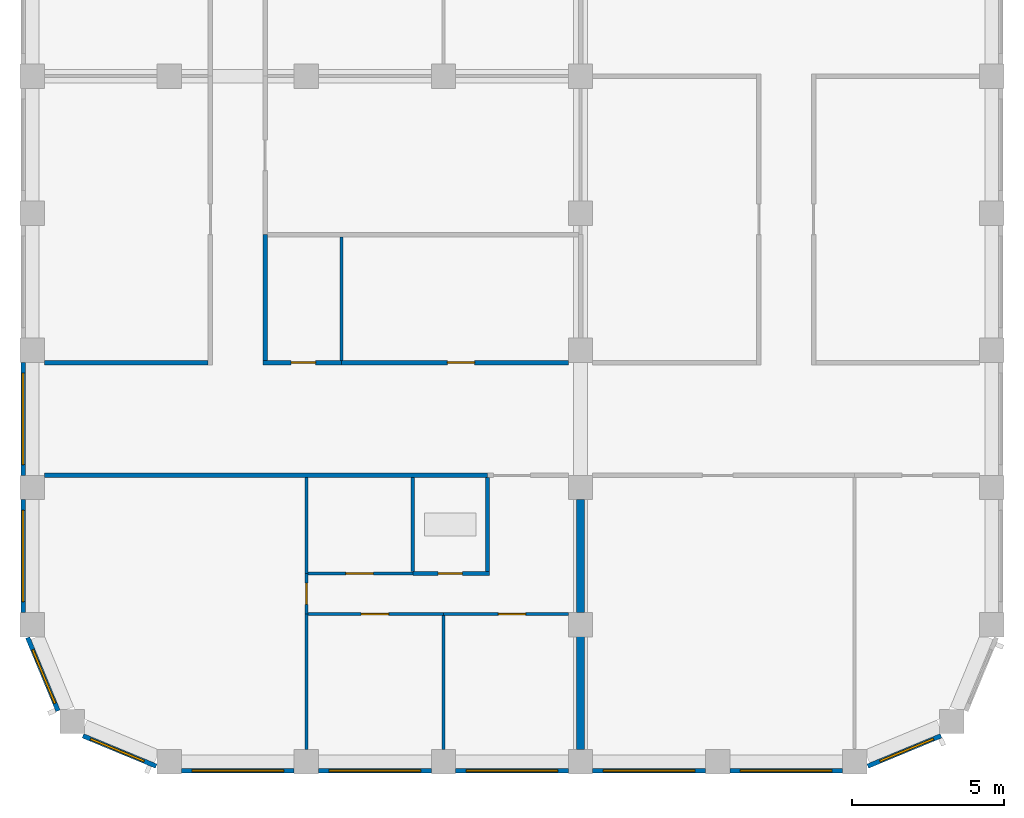
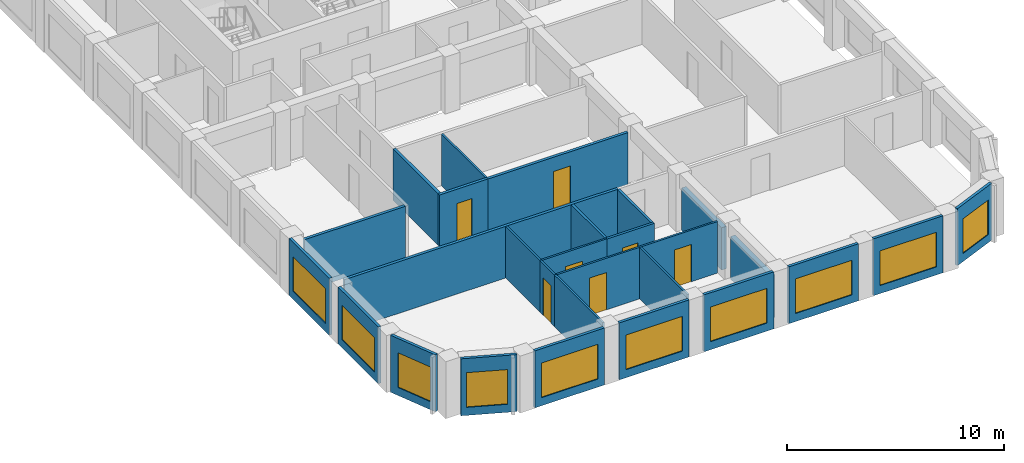
# One storey, part 2 of 10: 28 walls, 10 windows, 7 doors, 17 openings.
"""IFC4 building model written with IfcOpenShell, lengths in metres."""

from ifc_helpers import new_model, si_unit, direction, frame, frame_2d, origin, place, context, subcontext, project, spatial, rectangle, extrude, material, layer, layer_set, type_object, element, fill, save


model = new_model("IFC4")

# Units and contexts
model_context = context("Model", 3, precision=1e-05, world=origin(), true_north=direction((0.0, 1.0)))
body_context = subcontext(model_context, "Body", "Model", "MODEL_VIEW")
ifc_project = project(units=[si_unit("LENGTHUNIT", "METRE"), si_unit("AREAUNIT", "SQUARE_METRE"), si_unit("VOLUMEUNIT", "CUBIC_METRE"), si_unit("PLANEANGLEUNIT", "RADIAN"), si_unit("MASSUNIT", "GRAM", prefix="KILO")], contexts=[model_context])

# Site, building, storey
site_placement = place(None, origin())
site = spatial("IfcSite", under=ifc_project, at=site_placement, CompositionType="ELEMENT")
building_placement = place(site_placement, origin())
building = spatial("IfcBuilding", under=site, at=building_placement, Name="Girih Gate Residences", CompositionType="ELEMENT")
storey_placement = place(building_placement, frame((0.0, 0.0, 210.094970703125)))
storey = spatial("IfcBuildingStorey", under=building, at=storey_placement, Name="L58", CompositionType="ELEMENT", Elevation=210.094970703125)

# Walls
ifc_material_1 = material(Name="Gypsum board on steel studs", Category="steel")
ifc_layer_1 = layer(ifc_material_1, 0.25)
ifc_layer_set_1 = layer_set([ifc_layer_1], Name="Acoustic separating wall 250 mm")
wall_type_1 = type_object("IfcWallType", Name="Acoustic separating wall 250 mm", PredefinedType="PARTITIONING", material=ifc_layer_set_1)
for number, where, z_axis, x_axis, name in (
    (1, (18.0, 0.39990234375, 0.0), (0.0, 0.0, 1.0), (0.0, 1.0, 0.0), "L58 partition"),
    (2, (18.0, 4.89990234375, 0.0), (0.0, 0.0, 1.0), (0.0, 1.0, 0.0), "L58 partition"),
):
    element("IfcWall", number, at=place(storey_placement, frame(where, z_axis=z_axis, x_axis=x_axis)), inside=storey, type_object=wall_type_1, Name=name, PredefinedType="PARTITIONING", context=body_context, shape_type="SweptSolid", body=[
        extrude(rectangle(XDim=3.7001953125, YDim=0.25, at=frame_2d((1.85009765625, 0.0))), origin(), (0.0, 0.0, 1.0), 2.380126953125),
    ])
ifc_layer_2 = layer(ifc_material_1, 0.14990234375)
ifc_layer_set_2 = layer_set([ifc_layer_2], Name="Compartment wall 150 mm")
wall_type_2 = type_object("IfcWallType", Name="Compartment wall 150 mm", PredefinedType="PARTITIONING", material=ifc_layer_set_2)
wall_1_placement = place(storey_placement, frame((0.39990234375, 9.39990234375, 0.0), z_axis=(0.0, 0.0, 1.0), x_axis=(1.0, 0.0, 0.0)))
element("IfcWall", 3, at=wall_1_placement, inside=storey, type_object=wall_type_2, Name="L58 partition", PredefinedType="PARTITIONING", context=body_context, shape_type="SweptSolid", body=[
    extrude(rectangle(XDim=14.550048828125, YDim=0.14990234375, at=frame_2d((7.27490234375, 0.0))), origin(), (0.0, 0.0, 1.0), 2.900146484375),
])

# Wall, opening, door
wall_2_placement = place(storey_placement, frame((10.14990234375, 13.10009765625, 0.0), z_axis=(0.0, 0.0, 1.0), x_axis=(1.0, 0.0, 0.0)))
wall_2 = element("IfcWall", 4, at=wall_2_placement, inside=storey, type_object=wall_type_2, Name="L58 partition", PredefinedType="PARTITIONING", context=body_context, shape_type="SweptSolid", body=[
    extrude(rectangle(XDim=7.4501953125, YDim=0.14990234375, at=frame_2d((3.72509765625, 0.0))), origin(), (0.0, 0.0, 1.0), 2.900146484375),
])
opening_1_placement = place(wall_2_placement, frame((3.47509765625, 0.0, 0.0)))
opening_1 = element("IfcOpeningElement", 5, at=opening_1_placement, cuts=wall_2, Name="Opening A58-029", PredefinedType="OPENING", context=body_context, shape_type="SweptSolid", body=[
    extrude(rectangle(XDim=0.89990234375, YDim=2.10009765625, at=frame_2d((0.449951171875, 1.050048828125))), frame((0.0, 0.0849609375, 0.0), z_axis=(0.0, -1.0, 0.0), x_axis=(1.0, 0.0, 0.0)), (0.0, 0.0, 1.0), 0.169921875),
])
ifc_material_2 = material(Name="Timber", Category="wood")
door_type_1 = type_object("IfcDoorType", Name="Service room door 900x2100", OperationType="NOTDEFINED", PredefinedType="DOOR", material=ifc_material_2)
door_1_placement = place(opening_1_placement, origin())
door_1 = element("IfcDoor", 6, at=door_1_placement, inside=storey, type_object=door_type_1, Name="Door A58-029", OperationType="SINGLE_SWING_RIGHT", OverallHeight=2.10009765625, OverallWidth=0.89990234375, PredefinedType="DOOR", context=body_context, shape_type="SweptSolid", body=[
    extrude(rectangle(XDim=0.89990234375, YDim=2.10009765625, at=frame_2d((0.449951171875, 1.050048828125))), frame((0.0, 0.02490234375, 0.0), z_axis=(0.0, -1.0, 0.0), x_axis=(1.0, 0.0, 0.0)), (0.0, 0.0, 1.0), 0.050048828125),
])
fill(opening_1, door_1)

wall_3_placement = place(storey_placement, frame((7.574951171875, 13.10009765625, 0.0), z_axis=(0.0, 0.0, 1.0), x_axis=(1.0, 0.0, 0.0)))
wall_3 = element("IfcWall", 7, at=wall_3_placement, inside=storey, type_object=wall_type_2, Name="L58 partition", PredefinedType="PARTITIONING", context=body_context, shape_type="SweptSolid", body=[
    extrude(rectangle(XDim=2.574951171875, YDim=0.14990234375, at=frame_2d((1.28759765625, 0.0))), origin(), (0.0, 0.0, 1.0), 2.900146484375),
])
opening_2_placement = place(wall_3_placement, frame((0.925048828125, 0.0, 0.0)))
opening_2 = element("IfcOpeningElement", 8, at=opening_2_placement, cuts=wall_3, Name="Opening A58-030", PredefinedType="OPENING", context=body_context, shape_type="SweptSolid", body=[
    extrude(rectangle(XDim=0.800048828125, YDim=2.10009765625, at=frame_2d((0.39990234375, 1.050048828125))), frame((0.0, 0.0849609375, 0.0), z_axis=(0.0, -1.0, 0.0), x_axis=(1.0, 0.0, 0.0)), (0.0, 0.0, 1.0), 0.169921875),
])
door_type_2 = type_object("IfcDoorType", Name="Bathroom door 800x2100", OperationType="NOTDEFINED", PredefinedType="DOOR", material=ifc_material_2)
door_2_placement = place(opening_2_placement, origin())
door_2 = element("IfcDoor", 9, at=door_2_placement, inside=storey, type_object=door_type_2, Name="Door A58-030", OperationType="SINGLE_SWING_RIGHT", OverallHeight=2.10009765625, OverallWidth=0.800048828125, PredefinedType="DOOR", context=body_context, shape_type="SweptSolid", body=[
    extrude(rectangle(XDim=0.800048828125, YDim=2.10009765625, at=frame_2d((0.39990234375, 1.050048828125))), frame((0.0, 0.02490234375, 0.0), z_axis=(0.0, -1.0, 0.0), x_axis=(1.0, 0.0, 0.0)), (0.0, 0.0, 1.0), 0.050048828125),
])
fill(opening_2, door_2)

# Walls
wall_4_placement = place(storey_placement, frame((0.39990234375, 13.10009765625, 0.0), z_axis=(0.0, 0.0, 1.0), x_axis=(1.0, 0.0, 0.0)))
element("IfcWall", 10, at=wall_4_placement, inside=storey, type_object=wall_type_2, Name="L58 partition", PredefinedType="PARTITIONING", context=body_context, shape_type="SweptSolid", body=[
    extrude(rectangle(XDim=5.375, YDim=0.14990234375, at=frame_2d((2.6875, 0.0))), origin(), (0.0, 0.0, 1.0), 2.900146484375),
])
wall_5_placement = place(storey_placement, frame((7.64990234375, 13.175048828125, 0.0), z_axis=(0.0, 0.0, 1.0), x_axis=(0.0, 1.0, 0.0)))
element("IfcWall", 11, at=wall_5_placement, inside=storey, type_object=wall_type_2, Name="L58 partition", PredefinedType="PARTITIONING", context=body_context, shape_type="SweptSolid", body=[
    extrude(rectangle(XDim=4.125, YDim=0.14990234375, at=frame_2d((2.0625, 0.0))), origin(), (0.0, 0.0, 1.0), 2.900146484375),
])
ifc_layer_3 = layer(ifc_material_1, 0.10009765625)
ifc_layer_set_3 = layer_set([ifc_layer_3], Name="Partition 100 mm")
wall_type_3 = type_object("IfcWallType", Name="Partition 100 mm", PredefinedType="PARTITIONING", material=ifc_layer_set_3)
wall_6_placement = place(storey_placement, frame((13.5, 0.39990234375, 0.0), z_axis=(0.0, 0.0, 1.0), x_axis=(0.0, 1.0, 0.0)))
element("IfcWall", 12, at=wall_6_placement, inside=storey, type_object=wall_type_3, Name="L58 partition", PredefinedType="PARTITIONING", context=body_context, shape_type="SweptSolid", body=[
    extrude(rectangle(XDim=4.39013671875, YDim=0.10009765625, at=frame_2d((2.195068359375, 0.0))), origin(), (0.0, 0.0, 1.0), 2.900146484375),
])

# Wall, opening, door
wall_7_placement = place(storey_placement, frame((13.5, 4.840087890625, 0.0), z_axis=(0.0, 0.0, 1.0), x_axis=(-1.0, 0.0, 0.0)))
wall_7 = element("IfcWall", 13, at=wall_7_placement, inside=storey, type_object=wall_type_3, Name="L58 partition", PredefinedType="PARTITIONING", context=body_context, shape_type="SweptSolid", body=[
    extrude(rectangle(XDim=4.449951171875, YDim=0.10009765625, at=frame_2d((2.22509765625, 0.0))), origin(), (0.0, 0.0, 1.0), 2.900146484375),
])
opening_3_placement = place(wall_7_placement, frame((1.800048828125, 0.0, 0.0)))
opening_3 = element("IfcOpeningElement", 14, at=opening_3_placement, cuts=wall_7, Name="Opening A58-002", PredefinedType="OPENING", context=body_context, shape_type="SweptSolid", body=[
    extrude(rectangle(XDim=0.89990234375, YDim=2.10009765625, at=frame_2d((0.449951171875, 1.050048828125))), frame((0.0, 0.06005859375, 0.0), z_axis=(0.0, -1.0, 0.0), x_axis=(1.0, 0.0, 0.0)), (0.0, 0.0, 1.0), 0.1201171875),
])
door_type_3 = type_object("IfcDoorType", Name="Bedroom door 900x2100", OperationType="NOTDEFINED", PredefinedType="DOOR", material=ifc_material_2)
door_3_placement = place(opening_3_placement, origin())
door_3 = element("IfcDoor", 15, at=door_3_placement, inside=storey, type_object=door_type_3, Name="Door A58-002", OperationType="SINGLE_SWING_RIGHT", OverallHeight=2.10009765625, OverallWidth=0.89990234375, PredefinedType="DOOR", context=body_context, shape_type="SweptSolid", body=[
    extrude(rectangle(XDim=0.89990234375, YDim=2.10009765625, at=frame_2d((0.449951171875, 1.050048828125))), frame((0.0, 0.02490234375, 0.0), z_axis=(0.0, -1.0, 0.0), x_axis=(1.0, 0.0, 0.0)), (0.0, 0.0, 1.0), 0.050048828125),
])
fill(opening_3, door_3)

# Wall
wall_8_placement = place(storey_placement, frame((9.0, 0.39990234375, 0.0), z_axis=(0.0, 0.0, 1.0), x_axis=(0.0, 1.0, 0.0)))
element("IfcWall", 16, at=wall_8_placement, inside=storey, type_object=wall_type_3, Name="L58 partition", PredefinedType="PARTITIONING", context=body_context, shape_type="SweptSolid", body=[
    extrude(rectangle(XDim=4.440185546875, YDim=0.10009765625, at=frame_2d((2.22021484375, 0.0))), origin(), (0.0, 0.0, 1.0), 2.900146484375),
])

# Wall, opening, door
wall_9_placement = place(storey_placement, frame((17.60009765625, 4.840087890625, 0.0), z_axis=(0.0, 0.0, 1.0), x_axis=(-1.0, 0.0, 0.0)))
wall_9 = element("IfcWall", 17, at=wall_9_placement, inside=storey, type_object=wall_type_3, Name="L58 partition", PredefinedType="PARTITIONING", context=body_context, shape_type="SweptSolid", body=[
    extrude(rectangle(XDim=4.10009765625, YDim=0.10009765625, at=frame_2d((2.050048828125, 0.0))), origin(), (0.0, 0.0, 1.0), 2.900146484375),
])
opening_4_placement = place(wall_9_placement, frame((1.39990234375, 0.0, 0.0)))
opening_4 = element("IfcOpeningElement", 18, at=opening_4_placement, cuts=wall_9, Name="Opening A58-003", PredefinedType="OPENING", context=body_context, shape_type="SweptSolid", body=[
    extrude(rectangle(XDim=0.89990234375, YDim=2.10009765625, at=frame_2d((0.449951171875, 1.050048828125))), frame((0.0, 0.06005859375, 0.0), z_axis=(0.0, -1.0, 0.0), x_axis=(1.0, 0.0, 0.0)), (0.0, 0.0, 1.0), 0.1201171875),
])
door_4_placement = place(opening_4_placement, origin())
door_4 = element("IfcDoor", 19, at=door_4_placement, inside=storey, type_object=door_type_3, Name="Door A58-003", OperationType="SINGLE_SWING_LEFT", OverallHeight=2.10009765625, OverallWidth=0.89990234375, PredefinedType="DOOR", context=body_context, shape_type="SweptSolid", body=[
    extrude(rectangle(XDim=0.89990234375, YDim=2.10009765625, at=frame_2d((0.449951171875, 1.050048828125))), frame((0.0, 0.02490234375, 0.0), z_axis=(0.0, -1.0, 0.0), x_axis=(1.0, 0.0, 0.0)), (0.0, 0.0, 1.0), 0.050048828125),
])
fill(opening_4, door_4)

wall_10_placement = place(storey_placement, frame((9.050048828125, 6.179931640625, 0.0), z_axis=(0.0, 0.0, 1.0), x_axis=(1.0, 0.0, 0.0)))
wall_10 = element("IfcWall", 20, at=wall_10_placement, inside=storey, type_object=wall_type_3, Name="L58 partition", PredefinedType="PARTITIONING", context=body_context, shape_type="SweptSolid", body=[
    extrude(rectangle(XDim=3.444580078125, YDim=0.10009765625, at=frame_2d((1.72216796875, 0.0))), origin(), (0.0, 0.0, 1.0), 2.900146484375),
])
opening_5_placement = place(wall_10_placement, frame((1.247314453125, 0.0, 0.0)))
opening_5 = element("IfcOpeningElement", 21, at=opening_5_placement, cuts=wall_10, Name="Opening A58-004", PredefinedType="OPENING", context=body_context, shape_type="SweptSolid", body=[
    extrude(rectangle(XDim=0.89990234375, YDim=2.10009765625, at=frame_2d((0.449951171875, 1.050048828125))), frame((0.0, 0.06005859375, 0.0), z_axis=(0.0, -1.0, 0.0), x_axis=(1.0, 0.0, 0.0)), (0.0, 0.0, 1.0), 0.1201171875),
])
door_type_4 = type_object("IfcDoorType", Name="Kitchen door 900x2100", OperationType="NOTDEFINED", PredefinedType="DOOR", material=ifc_material_2)
door_5_placement = place(opening_5_placement, origin())
door_5 = element("IfcDoor", 22, at=door_5_placement, inside=storey, type_object=door_type_4, Name="Door A58-004", OperationType="SINGLE_SWING_LEFT", OverallHeight=2.10009765625, OverallWidth=0.89990234375, PredefinedType="DOOR", context=body_context, shape_type="SweptSolid", body=[
    extrude(rectangle(XDim=0.89990234375, YDim=2.10009765625, at=frame_2d((0.449951171875, 1.050048828125))), frame((0.0, 0.02490234375, 0.0), z_axis=(0.0, -1.0, 0.0), x_axis=(1.0, 0.0, 0.0)), (0.0, 0.0, 1.0), 0.050048828125),
])
fill(opening_5, door_5)

wall_11_placement = place(storey_placement, frame((9.0, 4.840087890625, 0.0), z_axis=(0.0, 0.0, 1.0), x_axis=(0.0, 1.0, 0.0)))
wall_11 = element("IfcWall", 23, at=wall_11_placement, inside=storey, type_object=wall_type_3, Name="L58 partition", PredefinedType="PARTITIONING", context=body_context, shape_type="SweptSolid", body=[
    extrude(rectangle(XDim=1.33984375, YDim=0.10009765625, at=frame_2d((0.669921875, 0.0))), origin(), (0.0, 0.0, 1.0), 2.900146484375),
])
opening_6_placement = place(wall_11_placement, frame((0.320068359375, 0.0, 0.0)))
opening_6 = element("IfcOpeningElement", 24, at=opening_6_placement, cuts=wall_11, Name="Opening A58-005", PredefinedType="OPENING", context=body_context, shape_type="SweptSolid", body=[
    extrude(rectangle(XDim=0.699951171875, YDim=2.10009765625, at=frame_2d((0.35009765625, 1.050048828125))), frame((0.0, 0.06005859375, 0.0), z_axis=(0.0, -1.0, 0.0), x_axis=(1.0, 0.0, 0.0)), (0.0, 0.0, 1.0), 0.1201171875),
])
door_type_5 = type_object("IfcDoorType", Name="Narrow door 700x2100", OperationType="NOTDEFINED", PredefinedType="DOOR", material=ifc_material_2)
door_6_placement = place(opening_6_placement, origin())
door_6 = element("IfcDoor", 25, at=door_6_placement, inside=storey, type_object=door_type_5, Name="Door A58-005", OperationType="SINGLE_SWING_RIGHT", OverallHeight=2.10009765625, OverallWidth=0.699951171875, PredefinedType="DOOR", context=body_context, shape_type="SweptSolid", body=[
    extrude(rectangle(XDim=0.699951171875, YDim=2.10009765625, at=frame_2d((0.35009765625, 1.050048828125))), frame((0.0, 0.02490234375, 0.0), z_axis=(0.0, -1.0, 0.0), x_axis=(1.0, 0.0, 0.0)), (0.0, 0.0, 1.0), 0.050048828125),
])
fill(opening_6, door_6)

# Walls
wall_12_placement = place(storey_placement, frame((9.0, 6.179931640625, 0.0), z_axis=(0.0, 0.0, 1.0), x_axis=(0.0, 1.0, 0.0)))
element("IfcWall", 26, at=wall_12_placement, inside=storey, type_object=wall_type_3, Name="L58 partition", PredefinedType="PARTITIONING", context=body_context, shape_type="SweptSolid", body=[
    extrude(rectangle(XDim=3.14501953125, YDim=0.10009765625, at=frame_2d((1.572509765625, 0.0))), origin(), (0.0, 0.0, 1.0), 2.900146484375),
])
wall_13_placement = place(storey_placement, frame((10.14990234375, 13.175048828125, 0.0), z_axis=(0.0, 0.0, 1.0), x_axis=(0.0, 1.0, 0.0)))
element("IfcWall", 27, at=wall_13_placement, inside=storey, type_object=wall_type_3, Name="L58 partition", PredefinedType="PARTITIONING", context=body_context, shape_type="SweptSolid", body=[
    extrude(rectangle(XDim=4.050048828125, YDim=0.10009765625, at=frame_2d((2.02490234375, 0.0))), origin(), (0.0, 0.0, 1.0), 2.900146484375),
])

# Wall, opening, window
ifc_material_3 = material(Name="Precast concrete C50/60", Category="concrete")
ifc_layer_4 = layer(ifc_material_3, 0.050048828125, Name="Outer leaf")
ifc_material_4 = material(Name="Rigid PIR insulation")
ifc_layer_5 = layer(ifc_material_4, 0.06005859375, Name="Insulation")
ifc_material_5 = material(Name="Precast concrete C40/50", Category="concrete")
ifc_layer_6 = layer(ifc_material_5, 0.0400390625, Name="Inner leaf")
ifc_layer_set_4 = layer_set([ifc_layer_4, ifc_layer_5, ifc_layer_6], Name="Precast concrete C50/60 external wall 150")
wall_type_4 = type_object("IfcWallType", Name="Precast concrete C50/60 external wall 150", PredefinedType="SOLIDWALL", material=ifc_layer_set_4)
wall_14_placement = place(storey_placement, frame((29.8330078125, 0.8486328125, 0.0), z_axis=(0.0, 0.0, 1.0), x_axis=(-0.923885342263, -0.382669406082, 0.0)))
wall_14 = element("IfcWall", 28, at=wall_14_placement, inside=storey, type_object=wall_type_4, Name="External wall SE0270_0000.0", PredefinedType="SOLIDWALL", context=body_context, shape_type="SweptSolid", body=[
    extrude(rectangle(XDim=2.602294921875, YDim=0.14990234375, at=frame_2d((1.30126953125, 0.0))), origin(), (0.0, 0.0, 1.0), 3.199951171875),
])
opening_7_placement = place(wall_14_placement, frame((0.27001953125, 0.0, 0.449951171875)))
opening_7 = element("IfcOpeningElement", 29, at=opening_7_placement, cuts=wall_14, Name="Opening W-2G", PredefinedType="OPENING", context=body_context, shape_type="SweptSolid", body=[
    extrude(rectangle(XDim=1.89990234375, YDim=1.949951171875, at=frame_2d((0.949951171875, 0.97509765625))), frame((0.0, 0.0849609375, 0.0), z_axis=(0.0, -1.0, 0.0), x_axis=(1.0, 0.0, 0.0)), (0.0, 0.0, 1.0), 0.169921875),
])
ifc_material_6 = material(Name="Double glazing in aluminium frame", Category="aluminium")
window_type_1 = type_object("IfcWindowType", Name="Window W-2G 1900x1950", PartitioningType="SINGLE_PANEL", PredefinedType="WINDOW", material=ifc_material_6)
window_1_placement = place(opening_7_placement, origin())
window_1 = element("IfcWindow", 30, at=window_1_placement, inside=storey, type_object=window_type_1, Name="Window W-2G SE0270_0000.0", OverallHeight=1.949951171875, OverallWidth=1.89990234375, PartitioningType="SINGLE_PANEL", PredefinedType="WINDOW", context=body_context, shape_type="SweptSolid", body=[
    extrude(rectangle(XDim=1.89990234375, YDim=1.949951171875, at=frame_2d((0.949951171875, 0.97509765625))), frame((0.0, 0.030029296875, 0.0), z_axis=(0.0, -1.0, 0.0), x_axis=(1.0, 0.0, 0.0)), (0.0, 0.0, 1.0), 0.06005859375),
])
fill(opening_7, window_1)

wall_15_placement = place(storey_placement, frame((-0.300048828125, 9.39990234375, 0.0), z_axis=(0.0, 0.0, 1.0), x_axis=(0.0, 1.0, 0.0)))
wall_15 = element("IfcWall", 31, at=wall_15_placement, inside=storey, type_object=wall_type_4, Name="External wall W0000_0450.7", PredefinedType="SOLIDWALL", context=body_context, shape_type="SweptSolid", body=[
    extrude(rectangle(XDim=3.7001953125, YDim=0.14990234375, at=frame_2d((1.85009765625, 0.0))), origin(), (0.0, 0.0, 1.0), 3.199951171875),
])
opening_8_placement = place(wall_15_placement, frame((0.35009765625, 0.0, 0.449951171875)))
opening_8 = element("IfcOpeningElement", 32, at=opening_8_placement, cuts=wall_15, Name="Opening W-1D", PredefinedType="OPENING", context=body_context, shape_type="SweptSolid", body=[
    extrude(rectangle(XDim=3.0, YDim=1.949951171875, at=frame_2d((1.5, 0.97509765625))), frame((0.0, 0.0849609375, 0.0), z_axis=(0.0, -1.0, 0.0), x_axis=(1.0, 0.0, 0.0)), (0.0, 0.0, 1.0), 0.169921875),
])
window_type_2 = type_object("IfcWindowType", Name="Window W-1D 3000x1950", PartitioningType="SINGLE_PANEL", PredefinedType="WINDOW", material=ifc_material_6)
window_2_placement = place(opening_8_placement, origin())
window_2 = element("IfcWindow", 33, at=window_2_placement, inside=storey, type_object=window_type_2, Name="Window W-1D W0000_0450.7", OverallHeight=1.949951171875, OverallWidth=3.0, PartitioningType="SINGLE_PANEL", PredefinedType="WINDOW", context=body_context, shape_type="SweptSolid", body=[
    extrude(rectangle(XDim=3.0, YDim=1.949951171875, at=frame_2d((1.5, 0.97509765625))), frame((0.0, 0.030029296875, 0.0), z_axis=(0.0, -1.0, 0.0), x_axis=(1.0, 0.0, 0.0)), (0.0, 0.0, 1.0), 0.06005859375),
])
fill(opening_8, window_2)

wall_16_placement = place(storey_placement, frame((-0.300048828125, 4.89990234375, 0.0), z_axis=(0.0, 0.0, 1.0), x_axis=(0.0, 1.0, 0.0)))
wall_16 = element("IfcWall", 34, at=wall_16_placement, inside=storey, type_object=wall_type_4, Name="External wall W0000_0450.8", PredefinedType="SOLIDWALL", context=body_context, shape_type="SweptSolid", body=[
    extrude(rectangle(XDim=3.7001953125, YDim=0.14990234375, at=frame_2d((1.85009765625, 0.0))), origin(), (0.0, 0.0, 1.0), 3.199951171875),
])
opening_9_placement = place(wall_16_placement, frame((0.35009765625, 0.0, 0.449951171875)))
opening_9 = element("IfcOpeningElement", 35, at=opening_9_placement, cuts=wall_16, Name="Opening W-1D", PredefinedType="OPENING", context=body_context, shape_type="SweptSolid", body=[
    extrude(rectangle(XDim=3.0, YDim=1.949951171875, at=frame_2d((1.5, 0.97509765625))), frame((0.0, 0.0849609375, 0.0), z_axis=(0.0, -1.0, 0.0), x_axis=(1.0, 0.0, 0.0)), (0.0, 0.0, 1.0), 0.169921875),
])
window_3_placement = place(opening_9_placement, origin())
window_3 = element("IfcWindow", 36, at=window_3_placement, inside=storey, type_object=window_type_2, Name="Window W-1D W0000_0450.8", OverallHeight=1.949951171875, OverallWidth=3.0, PartitioningType="SINGLE_PANEL", PredefinedType="WINDOW", context=body_context, shape_type="SweptSolid", body=[
    extrude(rectangle(XDim=3.0, YDim=1.949951171875, at=frame_2d((1.5, 0.97509765625))), frame((0.0, 0.030029296875, 0.0), z_axis=(0.0, -1.0, 0.0), x_axis=(1.0, 0.0, 0.0)), (0.0, 0.0, 1.0), 0.06005859375),
])
fill(opening_9, window_3)

wall_17_placement = place(storey_placement, frame((0.8486328125, 1.6669921875, 0.0), z_axis=(0.0, 0.0, 1.0), x_axis=(-0.382669406082, 0.923885342263, 0.0)))
wall_17 = element("IfcWall", 37, at=wall_17_placement, inside=storey, type_object=wall_type_4, Name="External wall SW0000_0045.0", PredefinedType="SOLIDWALL", context=body_context, shape_type="SweptSolid", body=[
    extrude(rectangle(XDim=2.602294921875, YDim=0.14990234375, at=frame_2d((1.30126953125, 0.0))), origin(), (0.0, 0.0, 1.0), 3.199951171875),
])
opening_10_placement = place(wall_17_placement, frame((0.27001953125, 0.0, 0.449951171875)))
opening_10 = element("IfcOpeningElement", 38, at=opening_10_placement, cuts=wall_17, Name="Opening W-2G", PredefinedType="OPENING", context=body_context, shape_type="SweptSolid", body=[
    extrude(rectangle(XDim=1.89990234375, YDim=1.949951171875, at=frame_2d((0.949951171875, 0.97509765625))), frame((0.0, 0.0849609375, 0.0), z_axis=(0.0, -1.0, 0.0), x_axis=(1.0, 0.0, 0.0)), (0.0, 0.0, 1.0), 0.169921875),
])
window_4_placement = place(opening_10_placement, origin())
window_4 = element("IfcWindow", 39, at=window_4_placement, inside=storey, type_object=window_type_1, Name="Window W-2G SW0000_0045.0", OverallHeight=1.949951171875, OverallWidth=1.89990234375, PartitioningType="SINGLE_PANEL", PredefinedType="WINDOW", context=body_context, shape_type="SweptSolid", body=[
    extrude(rectangle(XDim=1.89990234375, YDim=1.949951171875, at=frame_2d((0.949951171875, 0.97509765625))), frame((0.0, 0.030029296875, 0.0), z_axis=(0.0, -1.0, 0.0), x_axis=(1.0, 0.0, 0.0)), (0.0, 0.0, 1.0), 0.06005859375),
])
fill(opening_10, window_4)

wall_18_placement = place(storey_placement, frame((4.0712890625, -0.147216796875, 0.0), z_axis=(0.0, 0.0, 1.0), x_axis=(-0.923885342263, 0.382669406082, 0.0)))
wall_18 = element("IfcWall", 40, at=wall_18_placement, inside=storey, type_object=wall_type_4, Name="External wall SW0013_0013.0", PredefinedType="SOLIDWALL", context=body_context, shape_type="SweptSolid", body=[
    extrude(rectangle(XDim=2.602294921875, YDim=0.14990234375, at=frame_2d((1.30126953125, 0.0))), origin(), (0.0, 0.0, 1.0), 3.199951171875),
])
opening_11_placement = place(wall_18_placement, frame((0.432373046875, 0.0, 0.449951171875)))
opening_11 = element("IfcOpeningElement", 41, at=opening_11_placement, cuts=wall_18, Name="Opening W-2G", PredefinedType="OPENING", context=body_context, shape_type="SweptSolid", body=[
    extrude(rectangle(XDim=1.89990234375, YDim=1.949951171875, at=frame_2d((0.949951171875, 0.97509765625))), frame((0.0, 0.0849609375, 0.0), z_axis=(0.0, -1.0, 0.0), x_axis=(1.0, 0.0, 0.0)), (0.0, 0.0, 1.0), 0.169921875),
])
window_5_placement = place(opening_11_placement, origin())
window_5 = element("IfcWindow", 42, at=window_5_placement, inside=storey, type_object=window_type_1, Name="Window W-2G SW0013_0013.0", OverallHeight=1.949951171875, OverallWidth=1.89990234375, PartitioningType="SINGLE_PANEL", PredefinedType="WINDOW", context=body_context, shape_type="SweptSolid", body=[
    extrude(rectangle(XDim=1.89990234375, YDim=1.949951171875, at=frame_2d((0.949951171875, 0.97509765625))), frame((0.0, 0.030029296875, 0.0), z_axis=(0.0, -1.0, 0.0), x_axis=(1.0, 0.0, 0.0)), (0.0, 0.0, 1.0), 0.06005859375),
])
fill(opening_11, window_5)

wall_19_placement = place(storey_placement, frame((8.60009765625, -0.300048828125, 0.0), z_axis=(0.0, 0.0, 1.0), x_axis=(-1.0, 0.0, 0.0)))
wall_19 = element("IfcWall", 43, at=wall_19_placement, inside=storey, type_object=wall_type_4, Name="External wall S0045_0000.0", PredefinedType="SOLIDWALL", context=body_context, shape_type="SweptSolid", body=[
    extrude(rectangle(XDim=3.7001953125, YDim=0.14990234375, at=frame_2d((1.85009765625, 0.0))), origin(), (0.0, 0.0, 1.0), 3.199951171875),
])
opening_12_placement = place(wall_19_placement, frame((0.35009765625, 0.0, 0.449951171875)))
opening_12 = element("IfcOpeningElement", 44, at=opening_12_placement, cuts=wall_19, Name="Opening W-1D", PredefinedType="OPENING", context=body_context, shape_type="SweptSolid", body=[
    extrude(rectangle(XDim=3.0, YDim=1.949951171875, at=frame_2d((1.5, 0.97509765625))), frame((0.0, 0.0849609375, 0.0), z_axis=(0.0, -1.0, 0.0), x_axis=(1.0, 0.0, 0.0)), (0.0, 0.0, 1.0), 0.169921875),
])
window_6_placement = place(opening_12_placement, origin())
window_6 = element("IfcWindow", 45, at=window_6_placement, inside=storey, type_object=window_type_2, Name="Window W-1D S0045_0000.0", OverallHeight=1.949951171875, OverallWidth=3.0, PartitioningType="SINGLE_PANEL", PredefinedType="WINDOW", context=body_context, shape_type="SweptSolid", body=[
    extrude(rectangle(XDim=3.0, YDim=1.949951171875, at=frame_2d((1.5, 0.97509765625))), frame((0.0, 0.030029296875, 0.0), z_axis=(0.0, -1.0, 0.0), x_axis=(1.0, 0.0, 0.0)), (0.0, 0.0, 1.0), 0.06005859375),
])
fill(opening_12, window_6)

wall_20_placement = place(storey_placement, frame((13.10009765625, -0.300048828125, 0.0), z_axis=(0.0, 0.0, 1.0), x_axis=(-1.0, 0.0, 0.0)))
wall_20 = element("IfcWall", 46, at=wall_20_placement, inside=storey, type_object=wall_type_4, Name="External wall S0045_0000.1", PredefinedType="SOLIDWALL", context=body_context, shape_type="SweptSolid", body=[
    extrude(rectangle(XDim=3.7001953125, YDim=0.14990234375, at=frame_2d((1.85009765625, 0.0))), origin(), (0.0, 0.0, 1.0), 3.199951171875),
])
opening_13_placement = place(wall_20_placement, frame((0.35009765625, 0.0, 0.449951171875)))
opening_13 = element("IfcOpeningElement", 47, at=opening_13_placement, cuts=wall_20, Name="Opening W-1D", PredefinedType="OPENING", context=body_context, shape_type="SweptSolid", body=[
    extrude(rectangle(XDim=3.0, YDim=1.949951171875, at=frame_2d((1.5, 0.97509765625))), frame((0.0, 0.0849609375, 0.0), z_axis=(0.0, -1.0, 0.0), x_axis=(1.0, 0.0, 0.0)), (0.0, 0.0, 1.0), 0.169921875),
])
window_7_placement = place(opening_13_placement, origin())
window_7 = element("IfcWindow", 48, at=window_7_placement, inside=storey, type_object=window_type_2, Name="Window W-1D S0045_0000.1", OverallHeight=1.949951171875, OverallWidth=3.0, PartitioningType="SINGLE_PANEL", PredefinedType="WINDOW", context=body_context, shape_type="SweptSolid", body=[
    extrude(rectangle(XDim=3.0, YDim=1.949951171875, at=frame_2d((1.5, 0.97509765625))), frame((0.0, 0.030029296875, 0.0), z_axis=(0.0, -1.0, 0.0), x_axis=(1.0, 0.0, 0.0)), (0.0, 0.0, 1.0), 0.06005859375),
])
fill(opening_13, window_7)

wall_21_placement = place(storey_placement, frame((17.60009765625, -0.300048828125, 0.0), z_axis=(0.0, 0.0, 1.0), x_axis=(-1.0, 0.0, 0.0)))
wall_21 = element("IfcWall", 49, at=wall_21_placement, inside=storey, type_object=wall_type_4, Name="External wall S0045_0000.2", PredefinedType="SOLIDWALL", context=body_context, shape_type="SweptSolid", body=[
    extrude(rectangle(XDim=3.7001953125, YDim=0.14990234375, at=frame_2d((1.85009765625, 0.0))), origin(), (0.0, 0.0, 1.0), 3.199951171875),
])
opening_14_placement = place(wall_21_placement, frame((0.35009765625, 0.0, 0.449951171875)))
opening_14 = element("IfcOpeningElement", 50, at=opening_14_placement, cuts=wall_21, Name="Opening W-1D", PredefinedType="OPENING", context=body_context, shape_type="SweptSolid", body=[
    extrude(rectangle(XDim=3.0, YDim=1.949951171875, at=frame_2d((1.5, 0.97509765625))), frame((0.0, 0.0849609375, 0.0), z_axis=(0.0, -1.0, 0.0), x_axis=(1.0, 0.0, 0.0)), (0.0, 0.0, 1.0), 0.169921875),
])
window_8_placement = place(opening_14_placement, origin())
window_8 = element("IfcWindow", 51, at=window_8_placement, inside=storey, type_object=window_type_2, Name="Window W-1D S0045_0000.2", OverallHeight=1.949951171875, OverallWidth=3.0, PartitioningType="SINGLE_PANEL", PredefinedType="WINDOW", context=body_context, shape_type="SweptSolid", body=[
    extrude(rectangle(XDim=3.0, YDim=1.949951171875, at=frame_2d((1.5, 0.97509765625))), frame((0.0, 0.030029296875, 0.0), z_axis=(0.0, -1.0, 0.0), x_axis=(1.0, 0.0, 0.0)), (0.0, 0.0, 1.0), 0.06005859375),
])
fill(opening_14, window_8)

wall_22_placement = place(storey_placement, frame((22.10009765625, -0.300048828125, 0.0), z_axis=(0.0, 0.0, 1.0), x_axis=(-1.0, 0.0, 0.0)))
wall_22 = element("IfcWall", 52, at=wall_22_placement, inside=storey, type_object=wall_type_4, Name="External wall S0045_0000.3", PredefinedType="SOLIDWALL", context=body_context, shape_type="SweptSolid", body=[
    extrude(rectangle(XDim=3.7001953125, YDim=0.14990234375, at=frame_2d((1.85009765625, 0.0))), origin(), (0.0, 0.0, 1.0), 3.199951171875),
])
opening_15_placement = place(wall_22_placement, frame((0.35009765625, 0.0, 0.449951171875)))
opening_15 = element("IfcOpeningElement", 53, at=opening_15_placement, cuts=wall_22, Name="Opening W-1D", PredefinedType="OPENING", context=body_context, shape_type="SweptSolid", body=[
    extrude(rectangle(XDim=3.0, YDim=1.949951171875, at=frame_2d((1.5, 0.97509765625))), frame((0.0, 0.0849609375, 0.0), z_axis=(0.0, -1.0, 0.0), x_axis=(1.0, 0.0, 0.0)), (0.0, 0.0, 1.0), 0.169921875),
])
window_9_placement = place(opening_15_placement, origin())
window_9 = element("IfcWindow", 54, at=window_9_placement, inside=storey, type_object=window_type_2, Name="Window W-1D S0045_0000.3", OverallHeight=1.949951171875, OverallWidth=3.0, PartitioningType="SINGLE_PANEL", PredefinedType="WINDOW", context=body_context, shape_type="SweptSolid", body=[
    extrude(rectangle(XDim=3.0, YDim=1.949951171875, at=frame_2d((1.5, 0.97509765625))), frame((0.0, 0.030029296875, 0.0), z_axis=(0.0, -1.0, 0.0), x_axis=(1.0, 0.0, 0.0)), (0.0, 0.0, 1.0), 0.06005859375),
])
fill(opening_15, window_9)

wall_23_placement = place(storey_placement, frame((26.60009765625, -0.300048828125, 0.0), z_axis=(0.0, 0.0, 1.0), x_axis=(-1.0, 0.0, 0.0)))
wall_23 = element("IfcWall", 55, at=wall_23_placement, inside=storey, type_object=wall_type_4, Name="External wall S0045_0000.4", PredefinedType="SOLIDWALL", context=body_context, shape_type="SweptSolid", body=[
    extrude(rectangle(XDim=3.7001953125, YDim=0.14990234375, at=frame_2d((1.85009765625, 0.0))), origin(), (0.0, 0.0, 1.0), 3.199951171875),
])
opening_16_placement = place(wall_23_placement, frame((0.35009765625, 0.0, 0.449951171875)))
opening_16 = element("IfcOpeningElement", 56, at=opening_16_placement, cuts=wall_23, Name="Opening W-1D", PredefinedType="OPENING", context=body_context, shape_type="SweptSolid", body=[
    extrude(rectangle(XDim=3.0, YDim=1.949951171875, at=frame_2d((1.5, 0.97509765625))), frame((0.0, 0.0849609375, 0.0), z_axis=(0.0, -1.0, 0.0), x_axis=(1.0, 0.0, 0.0)), (0.0, 0.0, 1.0), 0.169921875),
])
window_10_placement = place(opening_16_placement, origin())
window_10 = element("IfcWindow", 57, at=window_10_placement, inside=storey, type_object=window_type_2, Name="Window W-1D S0045_0000.4", OverallHeight=1.949951171875, OverallWidth=3.0, PartitioningType="SINGLE_PANEL", PredefinedType="WINDOW", context=body_context, shape_type="SweptSolid", body=[
    extrude(rectangle(XDim=3.0, YDim=1.949951171875, at=frame_2d((1.5, 0.97509765625))), frame((0.0, 0.030029296875, 0.0), z_axis=(0.0, -1.0, 0.0), x_axis=(1.0, 0.0, 0.0)), (0.0, 0.0, 1.0), 0.06005859375),
])
fill(opening_16, window_10)

# Wall
ifc_layer_7 = layer(ifc_material_1, 0.125)
ifc_layer_set_5 = layer_set([ifc_layer_7], Name="Wet room wall 125 mm")
wall_type_5 = type_object("IfcWallType", Name="Wet room wall 125 mm", PredefinedType="PARTITIONING", material=ifc_layer_set_5)
wall_24_placement = place(storey_placement, frame((14.949951171875, 6.242431640625, 0.0), z_axis=(0.0, 0.0, 1.0), x_axis=(0.0, 1.0, 0.0)))
element("IfcWall", 58, at=wall_24_placement, inside=storey, type_object=wall_type_5, Name="L58 partition", PredefinedType="PARTITIONING", context=body_context, shape_type="SweptSolid", body=[
    extrude(rectangle(XDim=3.08251953125, YDim=0.125, at=frame_2d((1.541259765625, 0.0))), origin(), (0.0, 0.0, 1.0), 2.900146484375),
])

# Wall, opening, door
wall_25_placement = place(storey_placement, frame((12.49462890625, 6.179931640625, 0.0), z_axis=(0.0, 0.0, 1.0), x_axis=(1.0, 0.0, 0.0)))
wall_25 = element("IfcWall", 59, at=wall_25_placement, inside=storey, type_object=wall_type_5, Name="L58 partition", PredefinedType="PARTITIONING", context=body_context, shape_type="SweptSolid", body=[
    extrude(rectangle(XDim=2.517822265625, YDim=0.125, at=frame_2d((1.2587890625, 0.0))), origin(), (0.0, 0.0, 1.0), 2.900146484375),
])
opening_17_placement = place(wall_25_placement, frame((0.82763671875, 0.0, 0.0)))
opening_17 = element("IfcOpeningElement", 60, at=opening_17_placement, cuts=wall_25, Name="Opening A58-001", PredefinedType="OPENING", context=body_context, shape_type="SweptSolid", body=[
    extrude(rectangle(XDim=0.800048828125, YDim=2.10009765625, at=frame_2d((0.39990234375, 1.050048828125))), frame((0.0, 0.072509765625, 0.0), z_axis=(0.0, -1.0, 0.0), x_axis=(1.0, 0.0, 0.0)), (0.0, 0.0, 1.0), 0.14501953125),
])
door_7_placement = place(opening_17_placement, origin())
door_7 = element("IfcDoor", 61, at=door_7_placement, inside=storey, type_object=door_type_2, Name="Door A58-001", OperationType="SINGLE_SWING_LEFT", OverallHeight=2.10009765625, OverallWidth=0.800048828125, PredefinedType="DOOR", context=body_context, shape_type="SweptSolid", body=[
    extrude(rectangle(XDim=0.800048828125, YDim=2.10009765625, at=frame_2d((0.39990234375, 1.050048828125))), frame((0.0, 0.02490234375, 0.0), z_axis=(0.0, -1.0, 0.0), x_axis=(1.0, 0.0, 0.0)), (0.0, 0.0, 1.0), 0.050048828125),
])
fill(opening_17, door_7)

# Wall
wall_26_placement = place(storey_placement, frame((12.4951171875, 6.242431640625, 0.0), z_axis=(0.0, 0.0, 1.0), x_axis=(0.0, 1.0, 0.0)))
element("IfcWall", 62, at=wall_26_placement, inside=storey, type_object=wall_type_5, Name="L58 partition", PredefinedType="PARTITIONING", context=body_context, shape_type="SweptSolid", body=[
    extrude(rectangle(XDim=3.08251953125, YDim=0.125, at=frame_2d((1.541259765625, 0.0))), origin(), (0.0, 0.0, 1.0), 2.900146484375),
])

save(model, "model.ifc")
